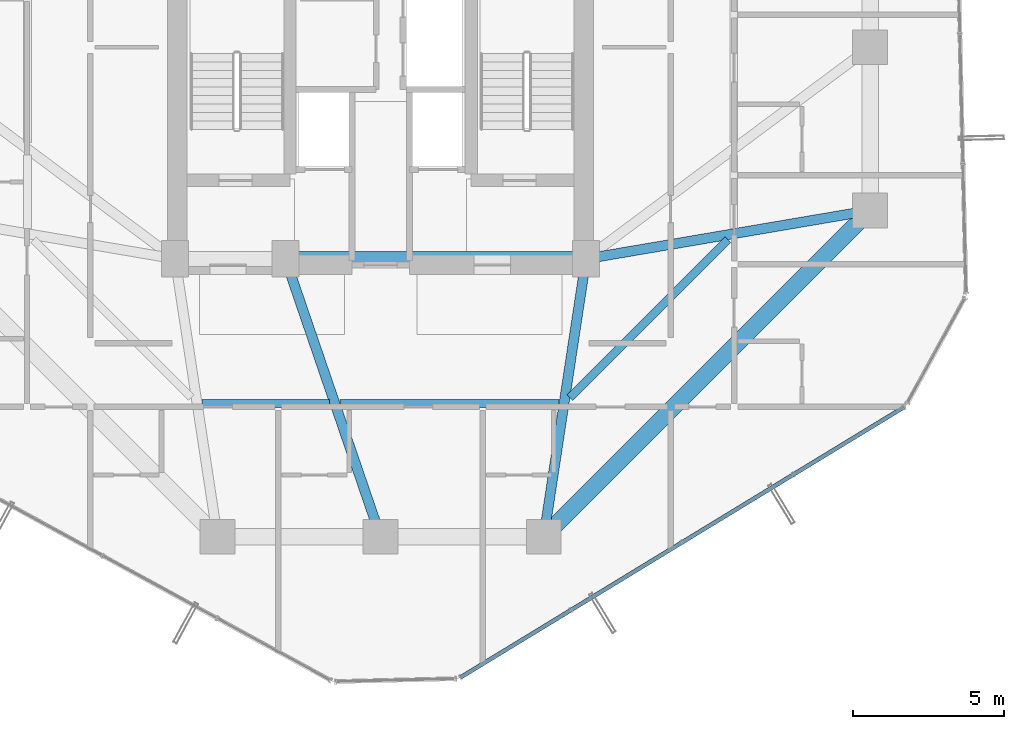
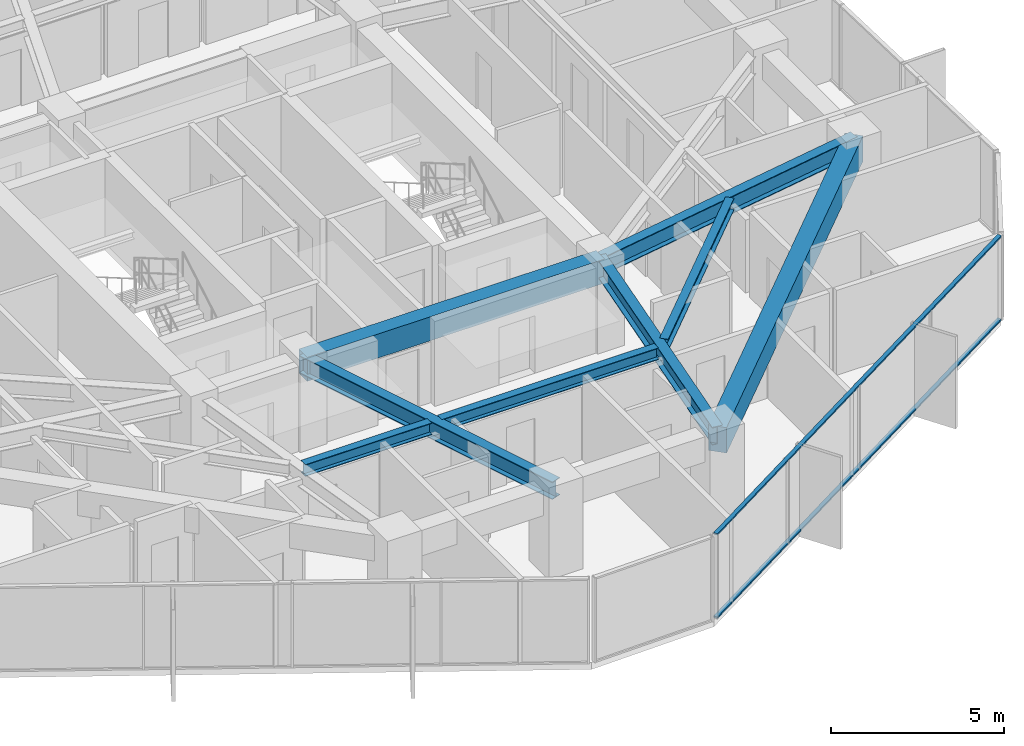
# One storey, part 8 of 31: 8 beams, 2 members, 1 element without a shape of its own.
"""IFC4 building model written with IfcOpenShell, lengths in metres."""

import ifcopenshell
import ifcopenshell.guid

model = None  # the IFC model being written
_history = None  # IfcOwnerHistory: only IFC2X3 demands one
_inside = {}  # id of a spatial element -> (the spatial element, [elements in it])
_under = {}  # id of a project, library or spatial element -> (it, [spatial elements below it])
_declared = {}  # id of a project -> (the project, [libraries it declares])
_typed = {}  # id of a type object -> (the type object, [elements of that type])
_made_of = {}  # id of a material, layer set ... -> (it, [elements and type objects made of it])


def new_model(schema):
    """Start an empty IFC model of exactly this schema.

    Asked for "IFC4X3", IfcOpenShell would pick the latest addendum, in which some entities
    have other attributes; the version numbers below select the first issue.
    IFC2X3 requires an IfcOwnerHistory on every rooted entity: one is made here for all.
    """
    global model, _history
    if schema == "IFC4X3":
        model = ifcopenshell.file(schema_version=(4, 3, 0, 0))
    else:
        model = ifcopenshell.file(schema=schema)
    _inside.clear()
    _under.clear()
    _declared.clear()
    _typed.clear()
    _made_of.clear()
    _history = None
    if model.schema == "IFC2X3":
        org = make("IfcOrganization", Name="unknown")
        user = make(
            "IfcPersonAndOrganization",
            ThePerson=make("IfcPerson", FamilyName="unknown"),
            TheOrganization=org,
        )
        app = make(
            "IfcApplication",
            ApplicationDeveloper=org,
            Version="unknown",
            ApplicationFullName="unknown",
            ApplicationIdentifier="unknown",
        )
        _history = make(
            "IfcOwnerHistory",
            OwningUser=user,
            OwningApplication=app,
            ChangeAction="ADDED",
            CreationDate=0,
        )
    return model


def make(cls, **values):
    """One entity of the class cls with the attributes given. An attribute that is None is left unset."""
    return model.create_entity(
        cls, **{name: value for name, value in values.items() if value is not None}
    )


def rooted(cls, **values):
    """An entity with a GlobalId (a new one), such as an element, a storey or a relation."""
    return make(cls, GlobalId=ifcopenshell.guid.new(), OwnerHistory=_history, **values)


def si_unit(unit_type, name, prefix=None):
    """IfcSIUnit, for example si_unit("LENGTHUNIT", "METRE", prefix="MILLI")."""
    return make("IfcSIUnit", UnitType=unit_type, Prefix=prefix, Name=name)


def assignment(units):
    """IfcUnitAssignment: the units of a project."""
    return None if units is None else make("IfcUnitAssignment", Units=units)


def point(xyz):
    """IfcCartesianPoint."""
    return None if xyz is None else make("IfcCartesianPoint", Coordinates=xyz)


def direction(xyz):
    """IfcDirection."""
    return None if xyz is None else make("IfcDirection", DirectionRatios=xyz)


def frame(location, z_axis=None, x_axis=None):
    """IfcAxis2Placement3D, a coordinate frame: its origin and axes. An axis left out is left unset."""
    return make(
        "IfcAxis2Placement3D",
        Location=point(location),
        Axis=direction(z_axis),
        RefDirection=direction(x_axis),
    )


def frame_2d(location, x_axis=None):
    """IfcAxis2Placement2D, a coordinate frame in the plane: its origin and x axis."""
    return make(
        "IfcAxis2Placement2D", Location=point(location), RefDirection=direction(x_axis)
    )


def origin():
    """The frame at (0, 0, 0) with its axes left unset."""
    return frame((0.0, 0.0, 0.0))


def origin_2d():
    """The frame at (0, 0) in the plane with its x axis left unset."""
    return frame_2d((0.0, 0.0))


def place(relative_to, where):
    """IfcLocalPlacement: puts the frame where relative to a parent placement (None: the world)."""
    return make(
        "IfcLocalPlacement", PlacementRelTo=relative_to, RelativePlacement=where
    )


def context(
    kind, dimensions, precision=None, world=None, true_north=None, identifier=None
):
    """IfcGeometricRepresentationContext, for example the 3D "Model" context."""
    return make(
        "IfcGeometricRepresentationContext",
        ContextIdentifier=identifier,
        ContextType=kind,
        CoordinateSpaceDimension=dimensions,
        Precision=precision,
        WorldCoordinateSystem=world,
        TrueNorth=true_north,
    )


def subcontext(parent, identifier, kind, view, scale=None):
    """IfcGeometricRepresentationSubContext, for example "Body" below "Model"."""
    return make(
        "IfcGeometricRepresentationSubContext",
        ContextIdentifier=identifier,
        ContextType=kind,
        ParentContext=parent,
        TargetScale=scale,
        TargetView=view,
    )


def project(units=None, contexts=None):
    """IfcProject with its units and contexts."""
    return rooted(
        "IfcProject",
        Name="project",
        RepresentationContexts=contexts,
        UnitsInContext=assignment(units),
    )


def spatial(cls, under=None, at=None, **own):
    """A site, building, storey or space (cls), placed at a placement, below another one or the project."""
    s = rooted(cls, ObjectPlacement=at, **own)
    if under is not None:
        _under.setdefault(under.id(), (under, []))[1].append(s)
    return s


def profile(cls, at=None, kind="AREA", **sizes):
    """A parametric profile (cls). Its sizes go by their IFC names, for example OverallWidth=200.0."""
    return make(cls, ProfileType=kind, Position=at, **sizes)


def rectangle(**sizes):
    """IfcRectangleProfileDef."""
    return profile("IfcRectangleProfileDef", **sizes)


def hollow_rectangle(**sizes):
    """IfcRectangleHollowProfileDef."""
    return profile("IfcRectangleHollowProfileDef", **sizes)


def i_section(**sizes):
    """IfcIShapeProfileDef."""
    return profile("IfcIShapeProfileDef", **sizes)


def extrude(swept, where, along, depth):
    """IfcExtrudedAreaSolid: the profile swept, set in the frame where, extruded along a direction by depth."""
    return make(
        "IfcExtrudedAreaSolid",
        SweptArea=swept,
        Position=where,
        ExtrudedDirection=direction(along),
        Depth=depth,
    )


def shape(context_of_items, identifier, shape_type, items):
    """IfcShapeRepresentation: the items that make up one representation, for example the "Body"."""
    return make(
        "IfcShapeRepresentation",
        ContextOfItems=context_of_items,
        RepresentationIdentifier=identifier,
        RepresentationType=shape_type,
        Items=items,
    )


def source(mapping_origin, context_of_items, identifier, shape_type, items):
    """IfcRepresentationMap: a shape defined once, which mapped items show again and again."""
    return make(
        "IfcRepresentationMap",
        MappingOrigin=mapping_origin,
        MappedRepresentation=shape(context_of_items, identifier, shape_type, items),
    )


def transform(
    local_origin,
    x_axis=None,
    y_axis=None,
    z_axis=None,
    scale=None,
    scale2=None,
    scale3=None,
    uniform=True,
):
    """IfcCartesianTransformationOperator3D, or its non-uniform kind. x_axis, y_axis, z_axis: its Axis1, 2, 3."""
    if uniform:
        return make(
            "IfcCartesianTransformationOperator3D",
            Axis1=direction(x_axis),
            Axis2=direction(y_axis),
            LocalOrigin=point(local_origin),
            Scale=scale,
            Axis3=direction(z_axis),
        )
    return make(
        "IfcCartesianTransformationOperator3DnonUniform",
        Axis1=direction(x_axis),
        Axis2=direction(y_axis),
        LocalOrigin=point(local_origin),
        Scale=scale,
        Axis3=direction(z_axis),
        Scale2=scale2,
        Scale3=scale3,
    )


def mapped(mapping_source, mapping_target):
    """IfcMappedItem: shows the shape of a source again, moved by a transform."""
    return make(
        "IfcMappedItem", MappingSource=mapping_source, MappingTarget=mapping_target
    )


def material(Name=None, Category=None):
    """IfcMaterial."""
    return make("IfcMaterial", Name=Name, Category=Category)


def layer(
    of_material, thickness, ventilated=None, Name=None, Category=None, Priority=None
):
    """IfcMaterialLayer: one layer of a wall or slab, of a material (None: an air gap)."""
    return make(
        "IfcMaterialLayer",
        Material=of_material,
        LayerThickness=thickness,
        IsVentilated=ventilated,
        Name=Name,
        Category=Category,
        Priority=Priority,
    )


def layer_set(layers, Name=None):
    """IfcMaterialLayerSet."""
    return make("IfcMaterialLayerSet", MaterialLayers=layers, LayerSetName=Name)


def material_profile(
    of_material, cross_section, Name=None, Category=None, Priority=None
):
    """IfcMaterialProfile: a cross section and its material."""
    return make(
        "IfcMaterialProfile",
        Name=Name,
        Material=of_material,
        Profile=cross_section,
        Priority=Priority,
        Category=Category,
    )


def profile_set(profiles, Name=None, composite=None):
    """IfcMaterialProfileSet."""
    return make(
        "IfcMaterialProfileSet",
        Name=Name,
        MaterialProfiles=profiles,
        CompositeProfile=composite,
    )


def made_of(thing, what):
    """Note that an element or type object is made of a material, layer set ...; save() writes the relation."""
    if what is not None:
        _made_of.setdefault(what.id(), (what, []))[1].append(thing)
    return thing


def type_object(cls, material=None, **own):
    """A type object (cls), such as IfcWallType, which elements share."""
    return made_of(rooted(cls, **own), material)


def element(
    cls,
    number,
    at=None,
    inside=None,
    cuts=None,
    type_object=None,
    material=None,
    context=None,
    identifier="Body",
    shape_type=None,
    held_by="IfcProductDefinitionShape",
    body=None,
    shapes=None,
    **own,
):
    """One element of the class cls, such as IfcWall. Its Tag is "e" and its number.

    at: its placement. inside: the storey or other place that contains it. cuts: it is an
    opening in that element (IfcRelVoidsElement). A single representation is given by context,
    identifier, shape_type and body (its items); several are given by shapes. held_by: the class
    of the entity that holds the representations. save() writes the other relations.
    """
    e = rooted(cls, Tag="e%d" % number, ObjectPlacement=at, **own)
    if body is not None:
        shapes = [shape(context, identifier, shape_type, body)]
    if shapes is not None:
        e.Representation = make(held_by, Representations=shapes)
    if inside is not None:
        _inside.setdefault(inside.id(), (inside, []))[1].append(e)
    if cuts is not None:
        rooted(
            "IfcRelVoidsElement", RelatingBuildingElement=cuts, RelatedOpeningElement=e
        )
    if type_object is not None:
        _typed.setdefault(type_object.id(), (type_object, []))[1].append(e)
    return made_of(e, material)


def aggregate(whole, parts):
    """IfcRelAggregates: a whole, such as a stair, and the parts it consists of."""
    return rooted("IfcRelAggregates", RelatingObject=whole, RelatedObjects=parts)


def save(model, path):
    """Write the relations noted so far, then the file.

    IfcRelAggregates (storeys below a building ...), IfcRelContainedInSpatialStructure (elements
    in a storey), IfcRelDefinesByType, IfcRelAssociatesMaterial and IfcRelDeclares: one each for
    every whole, place, type object, material and project.
    """
    for whole, parts in _under.values():
        aggregate(whole, parts)
    for where, things in _inside.values():
        rooted(
            "IfcRelContainedInSpatialStructure",
            RelatedElements=things,
            RelatingStructure=where,
        )
    for kind, things in _typed.values():
        rooted("IfcRelDefinesByType", RelatedObjects=things, RelatingType=kind)
    for what, things in _made_of.values():
        rooted("IfcRelAssociatesMaterial", RelatedObjects=things, RelatingMaterial=what)
    for by, libraries in _declared.values():
        rooted("IfcRelDeclares", RelatingContext=by, RelatedDefinitions=libraries)
    model.write(path)


model = new_model("IFC4")

# Units and contexts
model_context = context("Model", 3, precision=1e-05, world=origin(), true_north=direction((0.0, 1.0)))
body_context = subcontext(model_context, "Body", "Model", "MODEL_VIEW")
ifc_project = project(units=[si_unit("LENGTHUNIT", "METRE"), si_unit("AREAUNIT", "SQUARE_METRE"), si_unit("VOLUMEUNIT", "CUBIC_METRE"), si_unit("PLANEANGLEUNIT", "RADIAN"), si_unit("MASSUNIT", "GRAM", prefix="KILO")], contexts=[model_context])

# Site, building, storey
site_placement = place(None, origin())
site = spatial("IfcSite", under=ifc_project, at=site_placement, CompositionType="ELEMENT")
building_placement = place(site_placement, origin())
building = spatial("IfcBuilding", under=site, at=building_placement, Name="Veraguas Prism Commons", CompositionType="ELEMENT")
storey_placement = place(building_placement, frame((0.0, 0.0, 132.75)))
storey = spatial("IfcBuildingStorey", under=building, at=storey_placement, Name="L37", CompositionType="ELEMENT", Elevation=132.75)

# Beams
ifc_material_1 = material(Name="Concrete C50/60", Category="concrete")
ifc_material_profile_1 = material_profile(ifc_material_1, rectangle(XDim=0.5, YDim=0.85009765625, at=origin_2d()), Name="RC500X850")
ifc_profile_set_1 = profile_set([ifc_material_profile_1], Name="Concrete C50/60")
beam_type_1 = type_object("IfcBeamType", Name="Core Coupling Beam RC 500x850", PredefinedType="BEAM", material=ifc_profile_set_1)
beam_1_placement = place(storey_placement, frame((20.85009765625, 17.0, 2.574951171875), z_axis=(1.0, 0.0, 0.0), x_axis=(0.0, 1.0, 0.0)))
element("IfcBeam", 1, at=beam_1_placement, inside=storey, type_object=beam_type_1, Name="Core Coupling Beam L37-CRS2", PredefinedType="BEAM", context=body_context, shape_type="SweptSolid", body=[
    extrude(rectangle(XDim=0.5, YDim=0.85009765625, at=origin_2d()), origin(), (0.0, 0.0, 1.0), 9.949951171875),
])
ifc_material_2 = material(Name="Steel ASTM A992 Grade 50", Category="steel")
ifc_material_profile_2 = material_profile(ifc_material_2, i_section(OverallWidth=0.260986328125, OverallDepth=0.419921875, WebThickness=0.01171875, FlangeThickness=0.019287109375, at=origin_2d()), Name="W410X114")
ifc_profile_set_2 = profile_set([ifc_material_profile_2], Name="Steel ASTM A992 Grade 50")
beam_type_2 = type_object("IfcBeamType", Name="Lower Floor Joist W410x114", PredefinedType="JOIST", material=ifc_profile_set_2)
beam_2_placement = place(storey_placement, frame((18.091796875, 12.216064453125, 2.7900390625), z_axis=(1.0, 0.0, 0.0), x_axis=(0.0, 1.0, 0.0)))
element("IfcBeam", 2, at=beam_2_placement, inside=storey, type_object=beam_type_2, Name="Composite Floor Joist L37-JS10", PredefinedType="JOIST", context=body_context, shape_type="SweptSolid", body=[
    extrude(i_section(OverallWidth=0.260986328125, OverallDepth=0.419921875, WebThickness=0.01171875, FlangeThickness=0.019287109375, at=origin_2d()), origin(), (0.0, 0.0, 1.0), 4.22509765625),
])
beam_3_placement = place(storey_placement, frame((22.6591796875, 12.216064453125, 2.7900390625), z_axis=(1.0, 0.0, 0.0), x_axis=(0.0, 1.0, 0.0)))
element("IfcBeam", 3, at=beam_3_placement, inside=storey, type_object=beam_type_2, Name="Composite Floor Joist L37-JS11", PredefinedType="JOIST", context=body_context, shape_type="SweptSolid", body=[
    extrude(i_section(OverallWidth=0.260986328125, OverallDepth=0.419921875, WebThickness=0.01171875, FlangeThickness=0.019287109375, at=origin_2d()), origin(), (0.0, 0.0, 1.0), 7.2490234375),
])
beam_4_placement = place(storey_placement, frame((30.265380859375, 12.4091796875, 2.7900390625), z_axis=(0.707090260193, 0.707123301794, 0.0), x_axis=(-0.707123301794, 0.707090260193, 0.0)))
element("IfcBeam", 4, at=beam_4_placement, inside=storey, type_object=beam_type_2, Name="Composite Floor Joist L37-JS12", PredefinedType="JOIST", context=body_context, shape_type="SweptSolid", body=[
    extrude(i_section(OverallWidth=0.260986328125, OverallDepth=0.419921875, WebThickness=0.01171875, FlangeThickness=0.019287109375, at=origin_2d()), origin(), (0.0, 0.0, 1.0), 7.388916015625),
])
ifc_material_profile_3 = material_profile(ifc_material_1, rectangle(XDim=0.550048828125, YDim=0.89990234375, at=origin_2d()), Name="RC550X900")
ifc_profile_set_3 = profile_set([ifc_material_profile_3], Name="Concrete C50/60")
beam_type_3 = type_object("IfcBeamType", Name="Perimeter Spandrel Lower RC 550x900", PredefinedType="SPANDREL", material=ifc_profile_set_3)
beam_5_placement = place(storey_placement, frame((29.39990234375, 7.800048828125, 2.550048828125), z_axis=(0.707106781187, 0.707106781187, 0.0), x_axis=(-0.707106781187, 0.707106781187, 0.0)))
element("IfcBeam", 5, at=beam_5_placement, inside=storey, type_object=beam_type_3, Name="Perimeter Spandrel Beam L37-SP12", PredefinedType="SPANDREL", context=body_context, shape_type="SweptSolid", body=[
    extrude(rectangle(XDim=0.550048828125, YDim=0.89990234375, at=origin_2d()), origin(), (0.0, 0.0, 1.0), 15.273681640625),
])
ifc_material_profile_4 = material_profile(ifc_material_2, i_section(OverallWidth=0.327880859375, OverallDepth=0.6220703125, WebThickness=0.015380859375, FlangeThickness=0.0244140625, at=origin_2d()), Name="W610X195")
ifc_profile_set_4 = profile_set([ifc_material_profile_4], Name="Steel ASTM A992 Grade 50")
beam_type_4 = type_object("IfcBeamType", Name="Zone 2 Radial Girder W610x195", PredefinedType="BEAM", material=ifc_profile_set_4)
beam_6_placement = place(storey_placement, frame((40.199951171875, 18.60009765625, 2.68896484375), z_axis=(-0.985819187151, -0.1678109956, 0.0), x_axis=(0.1678109956, -0.985819187151, 0.0)))
element("IfcBeam", 6, at=beam_6_placement, inside=storey, type_object=beam_type_4, Name="Radial Floor Girder L37-RD01", PredefinedType="BEAM", context=body_context, shape_type="SweptSolid", body=[
    extrude(i_section(OverallWidth=0.327880859375, OverallDepth=0.6220703125, WebThickness=0.015380859375, FlangeThickness=0.0244140625, at=origin_2d()), origin(), (0.0, 0.0, 1.0), 9.53515625),
])
beam_7_placement = place(storey_placement, frame((24.0, 7.800048828125, 2.68896484375), z_axis=(-0.323922482989, 0.946083624747, 0.0), x_axis=(-0.946083624747, -0.323922482989, 0.0)))
element("IfcBeam", 7, at=beam_7_placement, inside=storey, type_object=beam_type_4, Name="Radial Floor Girder L37-RD11", PredefinedType="BEAM", context=body_context, shape_type="SweptSolid", body=[
    extrude(i_section(OverallWidth=0.327880859375, OverallDepth=0.6220703125, WebThickness=0.015380859375, FlangeThickness=0.0244140625, at=origin_2d()), origin(), (0.0, 0.0, 1.0), 9.724365234375),
])
beam_8_placement = place(storey_placement, frame((29.39990234375, 7.800048828125, 2.68896484375), z_axis=(0.150458162136, 0.98861637729, 0.0), x_axis=(-0.98861637729, 0.150458162136, 0.0)))
element("IfcBeam", 8, at=beam_8_placement, inside=storey, type_object=beam_type_4, Name="Radial Floor Girder L37-RD12", PredefinedType="BEAM", context=body_context, shape_type="SweptSolid", body=[
    extrude(i_section(OverallWidth=0.327880859375, OverallDepth=0.6220703125, WebThickness=0.015380859375, FlangeThickness=0.0244140625, at=origin_2d()), origin(), (0.0, 0.0, 1.0), 9.305908203125),
])

# Curtain wall, members
ifc_material_3 = material(Name="Anodised aluminium EN AW-6063 T6", Category="aluminium")
ifc_layer = layer(ifc_material_3, 0.169921875, Name="Unitised Flush Curtain Wall Zone 2", Category="aluminium")
ifc_layer_set = layer_set([ifc_layer], Name="Anodised aluminium EN AW-6063 T6")
curtain_wall_type = type_object("IfcCurtainWallType", Name="Unitised Flush Curtain Wall Zone 2", PredefinedType="NOTDEFINED", material=ifc_layer_set)
curtain_wall_placement = place(storey_placement, origin())
curtain_wall = element("IfcCurtainWall", 9, at=curtain_wall_placement, inside=storey, type_object=curtain_wall_type, Name="Tower Facade Curtain Wall L37-F5", PredefinedType="NOTDEFINED")
ifc_material_profile_5 = material_profile(ifc_material_3, hollow_rectangle(XDim=0.054931640625, YDim=0.135009765625, WallThickness=0.0029296875, at=origin_2d()), Name="AL55X135X3")
ifc_profile_set_5 = profile_set([ifc_material_profile_5], Name="Anodised aluminium EN AW-6063 T6")
member_type = type_object("IfcMemberType", Name="Curtain Wall Transom Standard AL 55x135x3", PredefinedType="USERDEFINED", material=ifc_profile_set_5)
shared_shape = source(origin(), body_context, "Body", "SweptSolid", [
    extrude(hollow_rectangle(XDim=0.054931640625, YDim=0.135009765625, WallThickness=0.0029296875, at=origin_2d()), origin(), (0.0, 0.0, 1.0), 17.174560546875),
])
member_1_placement = place(storey_placement, frame((26.64990234375, 3.15087890625, 0.027587890625), z_axis=(0.853920364837, 0.520403699561, 0.0), x_axis=(0.0, 0.0, 1.0)))
member_1 = element("IfcMember", 10, at=member_1_placement, type_object=member_type, Name="CW-Z2 Transom 1", ObjectType="TRANSOM", PredefinedType="USERDEFINED", context=body_context, shape_type="MappedRepresentation", body=[
    mapped(shared_shape, transform((0.0, 0.0, 0.0), scale=1.0)),
])
member_2_placement = place(storey_placement, frame((26.64990234375, 3.15087890625, 2.972412109375), z_axis=(0.853920364837, 0.520403699561, 0.0), x_axis=(0.0, 0.0, 1.0)))
member_2 = element("IfcMember", 11, at=member_2_placement, type_object=member_type, Name="CW-Z2 Transom 2", ObjectType="TRANSOM", PredefinedType="USERDEFINED", context=body_context, shape_type="MappedRepresentation", body=[
    mapped(shared_shape, transform((0.0, 0.0, 0.0), scale=1.0)),
])
aggregate(curtain_wall, [member_1, member_2])

save(model, "model.ifc")
